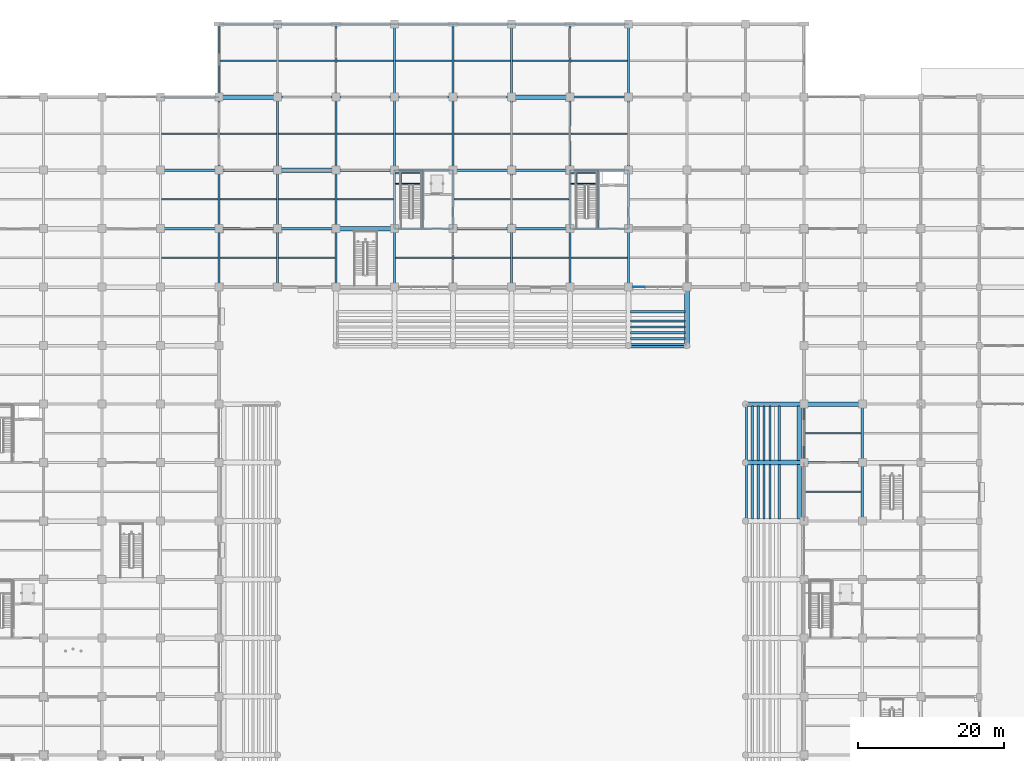
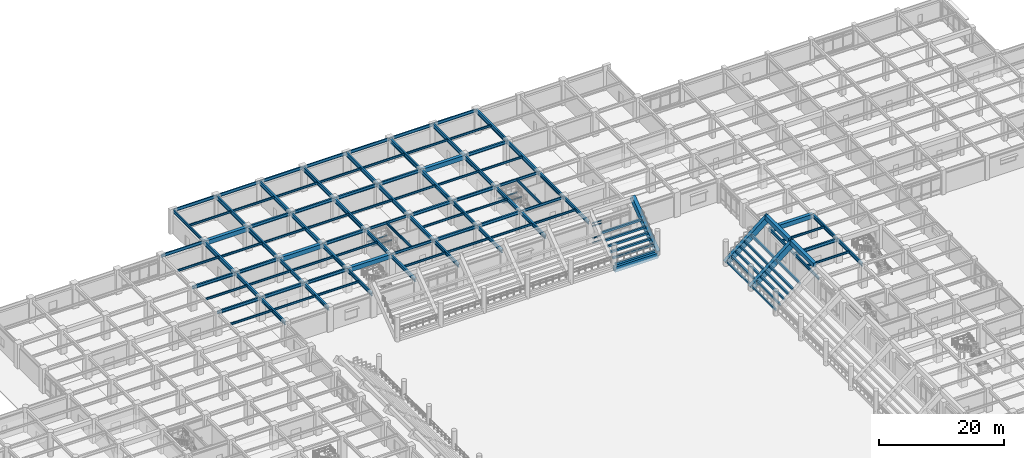
# One storey, part 47 of 125: 131 beams, 4 members, 1 element without a shape of its own.
"""IFC4 building model written with IfcOpenShell, lengths in metres."""

from ifc_helpers import new_model, si_unit, direction, frame, origin, origin_2d, place, context, subcontext, project, spatial, rectangle, i_section, extrude, material, layer, layer_set, material_profile, profile_set, type_object, element, aggregate, save


model = new_model("IFC4")

# Units and contexts
model_context = context("Model", 3, precision=1e-05, world=origin(), true_north=direction((0.0, 1.0)))
body_context = subcontext(model_context, "Body", "Model", "MODEL_VIEW")
ifc_project = project(units=[si_unit("LENGTHUNIT", "METRE"), si_unit("AREAUNIT", "SQUARE_METRE"), si_unit("VOLUMEUNIT", "CUBIC_METRE"), si_unit("PLANEANGLEUNIT", "RADIAN"), si_unit("MASSUNIT", "GRAM", prefix="KILO")], contexts=[model_context])

# Site, building, storey
site_placement = place(None, origin())
site = spatial("IfcSite", under=ifc_project, at=site_placement, CompositionType="ELEMENT")
building_placement = place(site_placement, origin())
building = spatial("IfcBuilding", under=site, at=building_placement, Name="Haebicheon Civic Stadium", CompositionType="ELEMENT")
storey_placement = place(building_placement, origin())
storey = spatial("IfcBuildingStorey", under=building, at=storey_placement, Name="L01", CompositionType="ELEMENT", Elevation=0.0)

# Beams
ifc_material_1 = material(Name="Precast concrete C40/50", Category="concrete")
ifc_material_profile_1 = material_profile(ifc_material_1, rectangle(XDim=0.300048828125, YDim=0.39990234375, at=origin_2d()), Name="PC-LN-300x400")
ifc_profile_set_1 = profile_set([ifc_material_profile_1], Name="Precast concrete C40/50")
beam_type_1 = type_object("IfcBeamType", Name="BM-LN-300x400", PredefinedType="LINTEL", material=ifc_profile_set_1)
for number, where, z_axis, x_axis, name in (
    (1, (136.159912109375, 120.280029296875, 0.760009765625), (0.0, 1.0, 0.0), (-1.0, 0.0, 0.0), "TIER-E-L precast step carrier beam 10.1"),
    (2, (136.9599609375, 120.280029296875, 1.470947265625), (0.0, 1.0, 0.0), (-1.0, 0.0, 0.0), "TIER-E-L precast step carrier beam 10.2"),
    (3, (137.760009765625, 120.280029296875, 2.181884765625), (0.0, 1.0, 0.0), (-1.0, 0.0, 0.0), "TIER-E-L precast step carrier beam 10.3"),
    (4, (138.56005859375, 120.280029296875, 2.89306640625), (0.0, 1.0, 0.0), (-1.0, 0.0, 0.0), "TIER-E-L precast step carrier beam 10.4"),
    (5, (139.360107421875, 120.280029296875, 3.60400390625), (0.0, 1.0, 0.0), (-1.0, 0.0, 0.0), "TIER-E-L precast step carrier beam 10.5"),
    (6, (140.639892578125, 120.280029296875, 4.31591796875), (0.0, 1.0, 0.0), (-1.0, 0.0, 0.0), "TIER-E-L precast step carrier beam 10.6"),
    (7, (136.159912109375, 128.280029296875, 0.760009765625), (0.0, 1.0, 0.0), (-1.0, 0.0, 0.0), "TIER-E-L precast step carrier beam 11.1"),
    (8, (136.9599609375, 128.280029296875, 1.470947265625), (0.0, 1.0, 0.0), (-1.0, 0.0, 0.0), "TIER-E-L precast step carrier beam 11.2"),
    (9, (137.760009765625, 128.280029296875, 2.181884765625), (0.0, 1.0, 0.0), (-1.0, 0.0, 0.0), "TIER-E-L precast step carrier beam 11.3"),
    (10, (138.56005859375, 128.280029296875, 2.89306640625), (0.0, 1.0, 0.0), (-1.0, 0.0, 0.0), "TIER-E-L precast step carrier beam 11.4"),
    (11, (139.360107421875, 128.280029296875, 3.60400390625), (0.0, 1.0, 0.0), (-1.0, 0.0, 0.0), "TIER-E-L precast step carrier beam 11.5"),
    (12, (140.639892578125, 128.280029296875, 4.31591796875), (0.0, 1.0, 0.0), (-1.0, 0.0, 0.0), "TIER-E-L precast step carrier beam 11.6"),
    (13, (120.280029296875, 144.159912109375, 0.760009765625), (1.0, 0.0, 0.0), (0.0, 1.0, 0.0), "TIER-N-L precast step carrier beam 6.1"),
    (14, (120.280029296875, 144.9599609375, 1.427001953125), (1.0, 0.0, 0.0), (0.0, 1.0, 0.0), "TIER-N-L precast step carrier beam 6.2"),
    (15, (120.280029296875, 145.760009765625, 2.093017578125), (1.0, 0.0, 0.0), (0.0, 1.0, 0.0), "TIER-N-L precast step carrier beam 6.3"),
    (16, (120.280029296875, 146.56005859375, 2.760009765625), (1.0, 0.0, 0.0), (0.0, 1.0, 0.0), "TIER-N-L precast step carrier beam 6.4"),
    (17, (120.280029296875, 147.360107421875, 3.427001953125), (1.0, 0.0, 0.0), (0.0, 1.0, 0.0), "TIER-N-L precast step carrier beam 6.5"),
    (18, (120.280029296875, 148.639892578125, 4.093017578125), (1.0, 0.0, 0.0), (0.0, 1.0, 0.0), "TIER-N-L precast step carrier beam 6.6"),
):
    element("IfcBeam", number, at=place(storey_placement, frame(where, z_axis=z_axis, x_axis=x_axis)), inside=storey, type_object=beam_type_1, material=ifc_profile_set_1, Name=name, PredefinedType="LINTEL", context=body_context, shape_type="SweptSolid", body=[
        extrude(rectangle(XDim=0.300048828125, YDim=0.39990234375, at=origin_2d()), origin(), (0.0, 0.0, 1.0), 7.43994140625),
    ])
ifc_material_2 = material(Name="Concrete C40/50", Category="concrete")
ifc_material_profile_2 = material_profile(ifc_material_2, rectangle(XDim=0.64990234375, YDim=1.0, at=origin_2d()), Name="RC-BM-650x1000")
ifc_profile_set_2 = profile_set([ifc_material_profile_2], Name="Concrete C40/50")
beam_type_2 = type_object("IfcBeamType", Name="BM-RC-650x1000", PredefinedType="BEAM", material=ifc_profile_set_2)
beam_1_placement = place(storey_placement, frame((120.0, 144.0, -0.0400390625), z_axis=(1.0, 0.0, 0.0), x_axis=(0.0, 1.0, 0.0)))
element("IfcBeam", 19, at=beam_1_placement, inside=storey, type_object=beam_type_2, material=ifc_profile_set_2, Name="TIER-N-L nose support girder 6", PredefinedType="BEAM", context=body_context, shape_type="SweptSolid", body=[
    extrude(rectangle(XDim=0.64990234375, YDim=1.0, at=origin_2d()), origin(), (0.0, 0.0, 1.0), 8.0),
])
ifc_material_3 = material(Name="Steel SM355 (S355)", Category="steel")
ifc_material_profile_3 = material_profile(ifc_material_3, i_section(OverallWidth=0.199951171875, OverallDepth=0.5, WebThickness=0.010009765625, FlangeThickness=0.01611328125, at=origin_2d()), Name="H-500x200x10x16")
ifc_profile_set_3 = profile_set([ifc_material_profile_3], Name="Steel SM355 (S355)")
beam_type_3 = type_object("IfcBeamType", Name="BM-ST-H500", PredefinedType="BEAM", material=ifc_profile_set_3)
for number, where, z_axis, x_axis, name in (
    (20, (88.0, 160.0, 4.27001953125), (1.0, 0.0, 0.0), (0.0, 1.0, 0.0), "L01 beam W/12-13"),
    (21, (88.0, 168.0, 4.27001953125), (1.0, 0.0, 0.0), (0.0, 1.0, 0.0), "L01 beam X/12-13"),
    (22, (112.0, 160.0, 4.27001953125), (1.0, 0.0, 0.0), (0.0, 1.0, 0.0), "L01 beam W/15-16"),
    (23, (112.0, 168.0, 4.27001953125), (1.0, 0.0, 0.0), (0.0, 1.0, 0.0), "L01 beam X/15-16"),
):
    element("IfcBeam", number, at=place(storey_placement, frame(where, z_axis=z_axis, x_axis=x_axis)), inside=storey, type_object=beam_type_3, material=ifc_profile_set_3, Name=name, PredefinedType="BEAM", context=body_context, shape_type="SweptSolid", body=[
        extrude(i_section(OverallWidth=0.199951171875, OverallDepth=0.5, WebThickness=0.010009765625, FlangeThickness=0.01611328125, at=origin_2d()), origin(), (0.0, 0.0, 1.0), 8.0),
    ])
for number, where, z_axis, x_axis, name in (
    (24, (91.8798828125, 160.10009765625, 4.27001953125), (0.0, 1.0, 0.0), (-1.0, 0.0, 0.0), "L01 KC-08 core dividing wall support beam"),
    (25, (115.8798828125, 160.10009765625, 4.27001953125), (0.0, 1.0, 0.0), (-1.0, 0.0, 0.0), "L01 KC-09 core dividing wall support beam"),
):
    element("IfcBeam", number, at=place(storey_placement, frame(where, z_axis=z_axis, x_axis=x_axis)), inside=storey, type_object=beam_type_3, material=ifc_profile_set_3, Name=name, PredefinedType="BEAM", context=body_context, shape_type="SweptSolid", body=[
        extrude(i_section(OverallWidth=0.199951171875, OverallDepth=0.5, WebThickness=0.010009765625, FlangeThickness=0.01611328125, at=origin_2d()), origin(), (0.0, 0.0, 1.0), 7.7998046875),
    ])
ifc_material_4 = material(Name="Steel SM355 (S355)", Category="steel")
ifc_material_profile_4 = material_profile(ifc_material_4, i_section(OverallWidth=0.300048828125, OverallDepth=0.60009765625, WebThickness=0.011962890625, FlangeThickness=0.02001953125, at=origin_2d()), Name="H-600x300x12x20")
ifc_profile_set_4 = profile_set([ifc_material_profile_4], Name="Steel SM355 (S355)")
beam_type_4 = type_object("IfcBeamType", Name="BM-ST-H600A", PredefinedType="BEAM", material=ifc_profile_set_4)
for number, where, z_axis, x_axis, name in (
    (26, (56.0, 160.0, 4.179931640625), (1.0, 0.0, 0.0), (0.0, 1.0, 0.0), "L01 beam W/8-9"),
    (27, (56.0, 168.0, 4.179931640625), (1.0, 0.0, 0.0), (0.0, 1.0, 0.0), "L01 beam X/8-9"),
    (28, (64.0, 160.0, 4.219970703125), (1.0, 0.0, 0.0), (0.0, 1.0, 0.0), "L01 beam W/9-10"),
    (29, (64.0, 168.0, 4.219970703125), (1.0, 0.0, 0.0), (0.0, 1.0, 0.0), "L01 beam X/9-10"),
    (30, (72.0, 160.0, 4.219970703125), (1.0, 0.0, 0.0), (0.0, 1.0, 0.0), "L01 beam W/10-11"),
    (31, (72.0, 178.0, 4.219970703125), (1.0, 0.0, 0.0), (0.0, 1.0, 0.0), "L01 beam Y/10-11"),
    (32, (80.0, 168.0, 4.219970703125), (1.0, 0.0, 0.0), (0.0, 1.0, 0.0), "L01 beam X/11-12"),
    (33, (80.0, 178.0, 4.219970703125), (1.0, 0.0, 0.0), (0.0, 1.0, 0.0), "L01 beam Y/11-12"),
    (34, (88.0, 178.0, 4.219970703125), (1.0, 0.0, 0.0), (0.0, 1.0, 0.0), "L01 beam Y/12-13"),
    (35, (96.0, 160.0, 4.219970703125), (1.0, 0.0, 0.0), (0.0, 1.0, 0.0), "L01 beam W/13-14"),
    (36, (96.0, 168.0, 4.219970703125), (1.0, 0.0, 0.0), (0.0, 1.0, 0.0), "L01 beam X/13-14"),
    (37, (96.0, 178.0, 4.219970703125), (1.0, 0.0, 0.0), (0.0, 1.0, 0.0), "L01 beam Y/13-14"),
    (38, (104.0, 160.0, 4.219970703125), (1.0, 0.0, 0.0), (0.0, 1.0, 0.0), "L01 beam W/14-15"),
    (39, (104.0, 168.0, 4.219970703125), (1.0, 0.0, 0.0), (0.0, 1.0, 0.0), "L01 beam X/14-15"),
    (40, (112.0, 178.0, 4.219970703125), (1.0, 0.0, 0.0), (0.0, 1.0, 0.0), "L01 beam Y/15-16"),
    (41, (144.0, 128.0, 4.219970703125), (1.0, 0.0, 0.0), (0.0, 1.0, 0.0), "L01 beam S/19-20"),
):
    element("IfcBeam", number, at=place(storey_placement, frame(where, z_axis=z_axis, x_axis=x_axis)), inside=storey, type_object=beam_type_4, material=ifc_profile_set_4, Name=name, PredefinedType="BEAM", context=body_context, shape_type="SweptSolid", body=[
        extrude(i_section(OverallWidth=0.300048828125, OverallDepth=0.60009765625, WebThickness=0.011962890625, FlangeThickness=0.02001953125, at=origin_2d()), origin(), (0.0, 0.0, 1.0), 8.0),
    ])
ifc_material_5 = material(Name="Steel SM490", Category="steel")
ifc_material_profile_5 = material_profile(ifc_material_5, i_section(OverallWidth=0.300048828125, OverallDepth=0.699951171875, WebThickness=0.012939453125, FlangeThickness=0.02392578125, at=origin_2d()), Name="H-700x300x13x24")
ifc_profile_set_5 = profile_set([ifc_material_profile_5], Name="Steel SM490")
beam_type_5 = type_object("IfcBeamType", Name="BM-ST-H700", PredefinedType="BEAM", material=ifc_profile_set_5)
for number, where, z_axis, x_axis, name in (
    (42, (64.0, 152.0, 4.1298828125), (0.0, 1.0, 0.0), (-1.0, 0.0, 0.0), "L01 girder 9/V-W"),
    (43, (64.0, 160.0, 4.1298828125), (0.0, 1.0, 0.0), (-1.0, 0.0, 0.0), "L01 girder 9/W-X"),
    (44, (72.0, 152.0, 4.169921875), (0.0, 1.0, 0.0), (-1.0, 0.0, 0.0), "L01 girder 10/V-W"),
    (45, (72.0, 160.0, 4.169921875), (0.0, 1.0, 0.0), (-1.0, 0.0, 0.0), "L01 girder 10/W-X"),
    (46, (80.0, 152.0, 4.169921875), (0.0, 1.0, 0.0), (-1.0, 0.0, 0.0), "L01 girder 11/V-W"),
    (47, (80.0, 160.0, 4.169921875), (0.0, 1.0, 0.0), (-1.0, 0.0, 0.0), "L01 girder 11/W-X"),
    (48, (88.0, 152.0, 4.169921875), (0.0, 1.0, 0.0), (-1.0, 0.0, 0.0), "L01 girder 12/V-W"),
    (49, (88.0, 160.0, 4.169921875), (0.0, 1.0, 0.0), (-1.0, 0.0, 0.0), "L01 girder 12/W-X"),
    (50, (96.0, 152.0, 4.169921875), (0.0, 1.0, 0.0), (-1.0, 0.0, 0.0), "L01 girder 13/V-W"),
    (51, (96.0, 160.0, 4.169921875), (0.0, 1.0, 0.0), (-1.0, 0.0, 0.0), "L01 girder 13/W-X"),
    (52, (104.0, 152.0, 4.169921875), (0.0, 1.0, 0.0), (-1.0, 0.0, 0.0), "L01 girder 14/V-W"),
    (53, (104.0, 160.0, 4.169921875), (0.0, 1.0, 0.0), (-1.0, 0.0, 0.0), "L01 girder 14/W-X"),
    (54, (112.0, 152.0, 4.169921875), (0.0, 1.0, 0.0), (-1.0, 0.0, 0.0), "L01 girder 15/V-W"),
    (55, (112.0, 160.0, 4.169921875), (0.0, 1.0, 0.0), (-1.0, 0.0, 0.0), "L01 girder 15/W-X"),
    (56, (120.0, 152.0, 4.169921875), (0.0, 1.0, 0.0), (-1.0, 0.0, 0.0), "L01 girder 16/V-W"),
    (57, (120.0, 160.0, 4.169921875), (0.0, 1.0, 0.0), (-1.0, 0.0, 0.0), "L01 girder 16/W-X"),
    (58, (152.0, 120.0, 4.169921875), (0.0, 1.0, 0.0), (-1.0, 0.0, 0.0), "L01 girder 20/R-S"),
    (59, (152.0, 128.0, 4.169921875), (0.0, 1.0, 0.0), (-1.0, 0.0, 0.0), "L01 girder 20/S-T"),
):
    element("IfcBeam", number, at=place(storey_placement, frame(where, z_axis=z_axis, x_axis=x_axis)), inside=storey, type_object=beam_type_5, material=ifc_profile_set_5, Name=name, PredefinedType="BEAM", context=body_context, shape_type="SweptSolid", body=[
        extrude(i_section(OverallWidth=0.300048828125, OverallDepth=0.699951171875, WebThickness=0.012939453125, FlangeThickness=0.02392578125, at=origin_2d()), origin(), (0.0, 0.0, 1.0), 8.0),
    ])
ifc_material_6 = material(Name="Steel SM490", Category="steel")
ifc_material_profile_6 = material_profile(ifc_material_6, i_section(OverallWidth=0.300048828125, OverallDepth=0.800048828125, WebThickness=0.013916015625, FlangeThickness=0.02587890625, at=origin_2d()), Name="H-800x300x14x26")
ifc_profile_set_6 = profile_set([ifc_material_profile_6], Name="Steel SM490")
beam_type_6 = type_object("IfcBeamType", Name="BM-ST-H800", PredefinedType="BEAM", material=ifc_profile_set_6)
for number, where, z_axis, x_axis, name in (
    (60, (64.0, 168.0, 4.1201171875), (0.0, 1.0, 0.0), (-1.0, 0.0, 0.0), "L01 girder 9/X-Y"),
    (61, (72.0, 168.0, 4.1201171875), (0.0, 1.0, 0.0), (-1.0, 0.0, 0.0), "L01 girder 10/X-Y"),
    (62, (72.0, 178.0, 4.179931640625), (0.0, 1.0, 0.0), (-1.0, 0.0, 0.0), "L01 girder 10/Y-Z"),
    (63, (80.0, 168.0, 4.1201171875), (0.0, 1.0, 0.0), (-1.0, 0.0, 0.0), "L01 girder 11/X-Y"),
    (64, (80.0, 178.0, 4.179931640625), (0.0, 1.0, 0.0), (-1.0, 0.0, 0.0), "L01 girder 11/Y-Z"),
    (65, (88.0, 168.0, 4.1201171875), (0.0, 1.0, 0.0), (-1.0, 0.0, 0.0), "L01 girder 12/X-Y"),
    (66, (88.0, 178.0, 4.179931640625), (0.0, 1.0, 0.0), (-1.0, 0.0, 0.0), "L01 girder 12/Y-Z"),
    (67, (96.0, 168.0, 4.1201171875), (0.0, 1.0, 0.0), (-1.0, 0.0, 0.0), "L01 girder 13/X-Y"),
    (68, (96.0, 178.0, 4.179931640625), (0.0, 1.0, 0.0), (-1.0, 0.0, 0.0), "L01 girder 13/Y-Z"),
    (69, (104.0, 168.0, 4.1201171875), (0.0, 1.0, 0.0), (-1.0, 0.0, 0.0), "L01 girder 14/X-Y"),
    (70, (104.0, 178.0, 4.179931640625), (0.0, 1.0, 0.0), (-1.0, 0.0, 0.0), "L01 girder 14/Y-Z"),
    (71, (112.0, 168.0, 4.1201171875), (0.0, 1.0, 0.0), (-1.0, 0.0, 0.0), "L01 girder 15/X-Y"),
    (72, (112.0, 178.0, 4.179931640625), (0.0, 1.0, 0.0), (-1.0, 0.0, 0.0), "L01 girder 15/Y-Z"),
    (73, (120.0, 168.0, 4.1201171875), (0.0, 1.0, 0.0), (-1.0, 0.0, 0.0), "L01 girder 16/X-Y"),
    (74, (120.0, 178.0, 4.179931640625), (0.0, 1.0, 0.0), (-1.0, 0.0, 0.0), "L01 girder 16/Y-Z"),
):
    element("IfcBeam", number, at=place(storey_placement, frame(where, z_axis=z_axis, x_axis=x_axis)), inside=storey, type_object=beam_type_6, material=ifc_profile_set_6, Name=name, PredefinedType="BEAM", context=body_context, shape_type="SweptSolid", body=[
        extrude(i_section(OverallWidth=0.300048828125, OverallDepth=0.800048828125, WebThickness=0.013916015625, FlangeThickness=0.02587890625, at=origin_2d()), origin(), (0.0, 0.0, 1.0), 10.0),
    ])
ifc_material_7 = material(Name="Precast concrete C40/50", Category="concrete")
ifc_material_profile_7 = material_profile(ifc_material_7, rectangle(XDim=0.60009765625, YDim=0.85009765625, at=origin_2d()), Name="PC-TB-600x850")
ifc_profile_set_7 = profile_set([ifc_material_profile_7], Name="Precast concrete C40/50")
beam_type_7 = type_object("IfcBeamType", Name="BM-TB-600x850", PredefinedType="T_BEAM", material=ifc_profile_set_7)
for number, where, z_axis, x_axis, name in (
    (75, (64.0, 178.0, 4.094970703125), (1.0, 0.0, 0.0), (0.0, 1.0, 0.0), "L01 beam Y/9-10"),
    (76, (72.0, 168.0, 4.094970703125), (1.0, 0.0, 0.0), (0.0, 1.0, 0.0), "L01 beam X/10-11"),
    (77, (80.0, 160.0, 4.094970703125), (1.0, 0.0, 0.0), (0.0, 1.0, 0.0), "L01 beam W/11-12"),
    (78, (104.0, 178.0, 4.094970703125), (1.0, 0.0, 0.0), (0.0, 1.0, 0.0), "L01 beam Y/14-15"),
    (79, (144.0, 136.0, 4.094970703125), (1.0, 0.0, 0.0), (0.0, 1.0, 0.0), "L01 beam T/19-20"),
):
    element("IfcBeam", number, at=place(storey_placement, frame(where, z_axis=z_axis, x_axis=x_axis)), inside=storey, type_object=beam_type_7, material=ifc_profile_set_7, Name=name, PredefinedType="T_BEAM", context=body_context, shape_type="SweptSolid", body=[
        extrude(rectangle(XDim=0.60009765625, YDim=0.85009765625, at=origin_2d()), origin(), (0.0, 0.0, 1.0), 8.0),
    ])
for number, where, z_axis, x_axis, name in (
    (80, (143.360107421875, 120.280029296875, 6.93505859375), (0.0, 1.0, 0.0), (-1.0, 0.0, 0.0), "TIER-E-L upper tier bench carrier beam 10"),
    (81, (143.360107421875, 128.280029296875, 6.93505859375), (0.0, 1.0, 0.0), (-1.0, 0.0, 0.0), "TIER-E-L upper tier bench carrier beam 11"),
):
    element("IfcBeam", number, at=place(storey_placement, frame(where, z_axis=z_axis, x_axis=x_axis)), inside=storey, type_object=beam_type_7, material=ifc_profile_set_7, Name=name, PredefinedType="T_BEAM", context=body_context, shape_type="SweptSolid", body=[
        extrude(rectangle(XDim=0.60009765625, YDim=0.85009765625, at=origin_2d()), origin(), (0.0, 0.0, 1.0), 7.43994140625),
    ])

# Curtain wall, members
ifc_material_8 = material(Name="Anodised aluminium and laminated glass", Category="aluminium")
ifc_layer = layer(ifc_material_8, 0.179931640625, Name="Anodised aluminium and laminated glass")
ifc_layer_set = layer_set([ifc_layer], Name="Anodised aluminium and laminated glass")
curtain_wall_type = type_object("IfcCurtainWallType", Name="CW-6900x3810", PredefinedType="NOTDEFINED", material=ifc_layer_set)
curtain_wall_placement = place(storey_placement, origin())
curtain_wall = element("IfcCurtainWall", 82, at=curtain_wall_placement, inside=storey, type_object=curtain_wall_type, material=ifc_layer_set, Name="L01 unitised curtain wall 011", PredefinedType="NOTDEFINED")
ifc_material_9 = material(Name="Anodised aluminium 6063-T6", Category="aluminium")
ifc_material_profile_8 = material_profile(ifc_material_9, rectangle(XDim=0.080078125, YDim=0.179931640625, at=origin_2d()), Name="ALU-TRAN-80x180")
ifc_profile_set_8 = profile_set([ifc_material_profile_8], Name="Anodised aluminium 6063-T6")
member_type = type_object("IfcMemberType", Name="CWT-180x80", PredefinedType="NOTDEFINED", material=ifc_profile_set_8)
member_1_placement = place(storey_placement, frame((120.6298828125, 152.0, 0.0), z_axis=(1.0, 0.0, 0.0), x_axis=(0.0, 1.0, 0.0)))
member_1 = element("IfcMember", 83, at=member_1_placement, type_object=member_type, material=ifc_profile_set_8, Name="CW-L01-011 horizontal transom 1.1", ObjectType="TRANSOM", PredefinedType="USERDEFINED", context=body_context, shape_type="SweptSolid", body=[
    extrude(rectangle(XDim=0.080078125, YDim=0.179931640625, at=origin_2d()), origin(), (0.0, 0.0, 1.0), 1.605224609375),
])
member_2_placement = place(storey_placement, frame((120.6298828125, 152.0, 0.89990234375), z_axis=(1.0, 0.0, 0.0), x_axis=(0.0, 1.0, 0.0)))
member_2 = element("IfcMember", 84, at=member_2_placement, type_object=member_type, material=ifc_profile_set_8, Name="CW-L01-011 horizontal transom 1.2", ObjectType="TRANSOM", PredefinedType="USERDEFINED", context=body_context, shape_type="SweptSolid", body=[
    extrude(rectangle(XDim=0.080078125, YDim=0.179931640625, at=origin_2d()), origin(), (0.0, 0.0, 1.0), 1.605224609375),
])
member_3_placement = place(storey_placement, frame((120.6298828125, 152.0, 3.260009765625), z_axis=(1.0, 0.0, 0.0), x_axis=(0.0, 1.0, 0.0)))
member_3 = element("IfcMember", 85, at=member_3_placement, type_object=member_type, material=ifc_profile_set_8, Name="CW-L01-011 horizontal transom 1.3", ObjectType="TRANSOM", PredefinedType="USERDEFINED", context=body_context, shape_type="SweptSolid", body=[
    extrude(rectangle(XDim=0.080078125, YDim=0.179931640625, at=origin_2d()), origin(), (0.0, 0.0, 1.0), 1.605224609375),
])
member_4_placement = place(storey_placement, frame((120.6298828125, 152.0, 3.81005859375), z_axis=(1.0, 0.0, 0.0), x_axis=(0.0, 1.0, 0.0)))
member_4 = element("IfcMember", 86, at=member_4_placement, type_object=member_type, material=ifc_profile_set_8, Name="CW-L01-011 horizontal transom 1.4", ObjectType="TRANSOM", PredefinedType="USERDEFINED", context=body_context, shape_type="SweptSolid", body=[
    extrude(rectangle(XDim=0.080078125, YDim=0.179931640625, at=origin_2d()), origin(), (0.0, 0.0, 1.0), 1.605224609375),
])
aggregate(curtain_wall, [member_1, member_2, member_3, member_4])

# Beams
ifc_material_10 = material(Name="Steel SM355 (S355)", Category="steel")
ifc_material_profile_9 = material_profile(ifc_material_10, i_section(OverallWidth=0.125, OverallDepth=0.25, WebThickness=0.006103515625, FlangeThickness=0.009033203125, at=origin_2d()), Name="H-250x125x6x9")
ifc_profile_set_9 = profile_set([ifc_material_profile_9], Name="Steel SM355 (S355)")
beam_type_8 = type_object("IfcBeamType", Name="JST-ST-H250", PredefinedType="JOIST", material=ifc_profile_set_9)
for number, where, z_axis, x_axis, name in (
    (87, (88.080078125, 166.169921875, 2.072021484375), (1.0, 0.0, 0.0), (0.0, 1.0, 0.0), "KC-08 L01 stair half-landing front trimmer beam"),
    (88, (88.080078125, 167.6201171875, 2.072021484375), (1.0, 0.0, 0.0), (0.0, 1.0, 0.0), "KC-08 L01 stair half-landing rear trimmer beam"),
):
    element("IfcBeam", number, at=place(storey_placement, frame(where, z_axis=z_axis, x_axis=x_axis)), inside=storey, type_object=beam_type_8, material=ifc_profile_set_9, Name=name, PredefinedType="JOIST", context=body_context, shape_type="SweptSolid", body=[
        extrude(i_section(OverallWidth=0.125, OverallDepth=0.25, WebThickness=0.006103515625, FlangeThickness=0.009033203125, at=origin_2d()), origin(), (0.0, 0.0, 1.0), 3.719970703125),
    ])
beam_2_placement = place(storey_placement, frame((88.9599609375, 166.169921875, 2.072021484375), z_axis=(0.0, 1.0, 0.0), x_axis=(-1.0, 0.0, 0.0)))
element("IfcBeam", 89, at=beam_2_placement, inside=storey, type_object=beam_type_8, material=ifc_profile_set_9, Name="KC-08 L01 stair half-landing transverse tie beam", PredefinedType="JOIST", context=body_context, shape_type="SweptSolid", body=[
    extrude(i_section(OverallWidth=0.125, OverallDepth=0.25, WebThickness=0.006103515625, FlangeThickness=0.009033203125, at=origin_2d()), origin(), (0.0, 0.0, 1.0), 1.4501953125),
])
for number, where, z_axis, x_axis, name in (
    (90, (112.080078125, 166.169921875, 2.072021484375), (1.0, 0.0, 0.0), (0.0, 1.0, 0.0), "KC-09 L01 stair half-landing front trimmer beam"),
    (91, (112.080078125, 167.6201171875, 2.072021484375), (1.0, 0.0, 0.0), (0.0, 1.0, 0.0), "KC-09 L01 stair half-landing rear trimmer beam"),
):
    element("IfcBeam", number, at=place(storey_placement, frame(where, z_axis=z_axis, x_axis=x_axis)), inside=storey, type_object=beam_type_8, material=ifc_profile_set_9, Name=name, PredefinedType="JOIST", context=body_context, shape_type="SweptSolid", body=[
        extrude(i_section(OverallWidth=0.125, OverallDepth=0.25, WebThickness=0.006103515625, FlangeThickness=0.009033203125, at=origin_2d()), origin(), (0.0, 0.0, 1.0), 3.719970703125),
    ])
beam_3_placement = place(storey_placement, frame((112.9599609375, 166.169921875, 2.072021484375), z_axis=(0.0, 1.0, 0.0), x_axis=(-1.0, 0.0, 0.0)))
element("IfcBeam", 92, at=beam_3_placement, inside=storey, type_object=beam_type_8, material=ifc_profile_set_9, Name="KC-09 L01 stair half-landing transverse tie beam", PredefinedType="JOIST", context=body_context, shape_type="SweptSolid", body=[
    extrude(i_section(OverallWidth=0.125, OverallDepth=0.25, WebThickness=0.006103515625, FlangeThickness=0.009033203125, at=origin_2d()), origin(), (0.0, 0.0, 1.0), 1.4501953125),
])
ifc_material_11 = material(Name="Steel SM355 (S355)", Category="steel")
ifc_material_profile_10 = material_profile(ifc_material_11, i_section(OverallWidth=0.199951171875, OverallDepth=0.39990234375, WebThickness=0.008056640625, FlangeThickness=0.012939453125, at=origin_2d()), Name="H-400x200x8x13")
ifc_profile_set_10 = profile_set([ifc_material_profile_10], Name="Steel SM355 (S355)")
beam_type_9 = type_object("IfcBeamType", Name="JST-ST-H400", PredefinedType="JOIST", material=ifc_profile_set_10)
for number, where, z_axis, x_axis, name in (
    (93, (56.14990234375, 156.0, 4.280029296875), (1.0, 0.0, 0.0), (0.0, 1.0, 0.0), "L01 secondary joist 07-19"),
    (94, (56.14990234375, 164.0, 4.280029296875), (1.0, 0.0, 0.0), (0.0, 1.0, 0.0), "L01 secondary joist 07-20"),
    (95, (56.14990234375, 173.0, 4.3798828125), (1.0, 0.0, 0.0), (0.0, 1.0, 0.0), "L01 secondary joist 07-21"),
    (96, (64.14990234375, 156.0, 4.320068359375), (1.0, 0.0, 0.0), (0.0, 1.0, 0.0), "L01 secondary joist 08-19"),
    (97, (64.14990234375, 164.0, 4.320068359375), (1.0, 0.0, 0.0), (0.0, 1.0, 0.0), "L01 secondary joist 08-20"),
    (98, (64.14990234375, 173.0, 4.320068359375), (1.0, 0.0, 0.0), (0.0, 1.0, 0.0), "L01 secondary joist 08-21"),
):
    element("IfcBeam", number, at=place(storey_placement, frame(where, z_axis=z_axis, x_axis=x_axis)), inside=storey, type_object=beam_type_9, material=ifc_profile_set_10, Name=name, PredefinedType="JOIST", context=body_context, shape_type="SweptSolid", body=[
        extrude(i_section(OverallWidth=0.199951171875, OverallDepth=0.39990234375, WebThickness=0.008056640625, FlangeThickness=0.012939453125, at=origin_2d()), origin(), (0.0, 0.0, 1.0), 7.7001953125),
    ])
beam_4_placement = place(storey_placement, frame((64.10009765625, 183.0, 4.3798828125), z_axis=(1.0, 0.0, 0.0), x_axis=(0.0, 1.0, 0.0)))
element("IfcBeam", 99, at=beam_4_placement, inside=storey, type_object=beam_type_9, material=ifc_profile_set_10, Name="L01 secondary joist 08-22", PredefinedType="JOIST", context=body_context, shape_type="SweptSolid", body=[
    extrude(i_section(OverallWidth=0.199951171875, OverallDepth=0.39990234375, WebThickness=0.008056640625, FlangeThickness=0.012939453125, at=origin_2d()), origin(), (0.0, 0.0, 1.0), 7.75),
])
for number, where, z_axis, x_axis, name in (
    (100, (72.14990234375, 156.0, 4.320068359375), (1.0, 0.0, 0.0), (0.0, 1.0, 0.0), "L01 secondary joist 09-19"),
    (101, (72.14990234375, 164.0, 4.320068359375), (1.0, 0.0, 0.0), (0.0, 1.0, 0.0), "L01 secondary joist 09-20"),
    (102, (72.14990234375, 173.0, 4.320068359375), (1.0, 0.0, 0.0), (0.0, 1.0, 0.0), "L01 secondary joist 09-21"),
    (103, (72.14990234375, 183.0, 4.3798828125), (1.0, 0.0, 0.0), (0.0, 1.0, 0.0), "L01 secondary joist 09-22"),
    (104, (80.14990234375, 164.0, 4.320068359375), (1.0, 0.0, 0.0), (0.0, 1.0, 0.0), "L01 secondary joist 10-20"),
    (105, (80.14990234375, 173.0, 4.320068359375), (1.0, 0.0, 0.0), (0.0, 1.0, 0.0), "L01 secondary joist 10-21"),
    (106, (80.14990234375, 183.0, 4.3798828125), (1.0, 0.0, 0.0), (0.0, 1.0, 0.0), "L01 secondary joist 10-22"),
    (107, (88.14990234375, 156.0, 4.320068359375), (1.0, 0.0, 0.0), (0.0, 1.0, 0.0), "L01 secondary joist 11-19"),
    (108, (88.14990234375, 173.0, 4.320068359375), (1.0, 0.0, 0.0), (0.0, 1.0, 0.0), "L01 secondary joist 11-21"),
    (109, (88.14990234375, 183.0, 4.3798828125), (1.0, 0.0, 0.0), (0.0, 1.0, 0.0), "L01 secondary joist 11-22"),
    (110, (96.14990234375, 156.0, 4.320068359375), (1.0, 0.0, 0.0), (0.0, 1.0, 0.0), "L01 secondary joist 12-19"),
    (111, (96.14990234375, 164.0, 4.320068359375), (1.0, 0.0, 0.0), (0.0, 1.0, 0.0), "L01 secondary joist 12-20"),
    (112, (96.14990234375, 173.0, 4.320068359375), (1.0, 0.0, 0.0), (0.0, 1.0, 0.0), "L01 secondary joist 12-21"),
    (113, (96.14990234375, 183.0, 4.3798828125), (1.0, 0.0, 0.0), (0.0, 1.0, 0.0), "L01 secondary joist 12-22"),
    (114, (104.14990234375, 156.0, 4.320068359375), (1.0, 0.0, 0.0), (0.0, 1.0, 0.0), "L01 secondary joist 13-19"),
    (115, (104.14990234375, 164.0, 4.320068359375), (1.0, 0.0, 0.0), (0.0, 1.0, 0.0), "L01 secondary joist 13-20"),
    (116, (104.14990234375, 173.0, 4.320068359375), (1.0, 0.0, 0.0), (0.0, 1.0, 0.0), "L01 secondary joist 13-21"),
    (117, (104.14990234375, 183.0, 4.3798828125), (1.0, 0.0, 0.0), (0.0, 1.0, 0.0), "L01 secondary joist 13-22"),
    (118, (112.14990234375, 156.0, 4.320068359375), (1.0, 0.0, 0.0), (0.0, 1.0, 0.0), "L01 secondary joist 14-19"),
    (119, (112.14990234375, 173.0, 4.320068359375), (1.0, 0.0, 0.0), (0.0, 1.0, 0.0), "L01 secondary joist 14-21"),
    (120, (112.14990234375, 183.0, 4.3798828125), (1.0, 0.0, 0.0), (0.0, 1.0, 0.0), "L01 secondary joist 14-22"),
):
    element("IfcBeam", number, at=place(storey_placement, frame(where, z_axis=z_axis, x_axis=x_axis)), inside=storey, type_object=beam_type_9, material=ifc_profile_set_10, Name=name, PredefinedType="JOIST", context=body_context, shape_type="SweptSolid", body=[
        extrude(i_section(OverallWidth=0.199951171875, OverallDepth=0.39990234375, WebThickness=0.008056640625, FlangeThickness=0.012939453125, at=origin_2d()), origin(), (0.0, 0.0, 1.0), 7.7001953125),
    ])
for number, where, z_axis, x_axis, name in (
    (121, (144.10009765625, 124.0, 4.320068359375), (1.0, 0.0, 0.0), (0.0, 1.0, 0.0), "L01 secondary joist 18-15"),
    (122, (144.10009765625, 132.0, 4.320068359375), (1.0, 0.0, 0.0), (0.0, 1.0, 0.0), "L01 secondary joist 18-16"),
):
    element("IfcBeam", number, at=place(storey_placement, frame(where, z_axis=z_axis, x_axis=x_axis)), inside=storey, type_object=beam_type_9, material=ifc_profile_set_10, Name=name, PredefinedType="JOIST", context=body_context, shape_type="SweptSolid", body=[
        extrude(i_section(OverallWidth=0.199951171875, OverallDepth=0.39990234375, WebThickness=0.008056640625, FlangeThickness=0.012939453125, at=origin_2d()), origin(), (0.0, 0.0, 1.0), 7.75),
    ])
ifc_material_12 = material(Name="Precast concrete C40/50", Category="concrete")
ifc_material_profile_11 = material_profile(ifc_material_12, rectangle(XDim=0.64990234375, YDim=1.10009765625, at=origin_2d()), Name="PC-RK-650x1100")
ifc_profile_set_11 = profile_set([ifc_material_profile_11], Name="Precast concrete C40/50")
beam_type_10 = type_object("IfcBeamType", Name="RK-PC-650x1100", PredefinedType="USERDEFINED", material=ifc_profile_set_11)
for number, where, z_axis, x_axis, name in (
    (123, (136.0, 128.0, 0.409912109375), (0.780861834757, 0.0, 0.624703765813), (0.0, 1.0, 0.0), "TIER-E-L inclined precast raker beam 11"),
    (124, (136.0, 136.0, 0.409912109375), (0.780861834757, 0.0, 0.624703765813), (0.0, 1.0, 0.0), "TIER-E-L inclined precast raker beam 12"),
):
    element("IfcBeam", number, at=place(storey_placement, frame(where, z_axis=z_axis, x_axis=x_axis)), inside=storey, type_object=beam_type_10, material=ifc_profile_set_11, Name=name, ObjectType="RAKER BEAM", PredefinedType="USERDEFINED", context=body_context, shape_type="SweptSolid", body=[
        extrude(rectangle(XDim=0.64990234375, YDim=1.10009765625, at=origin_2d()), origin(), (0.0, 0.0, 1.0), 10.2451171875),
    ])
beam_5_placement = place(storey_placement, frame((128.0, 144.0, 0.409912109375), z_axis=(0.0, 0.8, 0.6), x_axis=(-1.0, 0.0, 0.0)))
element("IfcBeam", 125, at=beam_5_placement, inside=storey, type_object=beam_type_10, material=ifc_profile_set_11, Name="TIER-N-L inclined precast raker beam 7", ObjectType="RAKER BEAM", PredefinedType="USERDEFINED", context=body_context, shape_type="SweptSolid", body=[
    extrude(rectangle(XDim=0.64990234375, YDim=1.10009765625, at=origin_2d()), origin(), (0.0, 0.0, 1.0), 10.0),
])
ifc_material_13 = material(Name="Steel SM355 (S355)", Category="steel")
ifc_material_profile_12 = material_profile(ifc_material_13, i_section(OverallWidth=0.199951171875, OverallDepth=0.60009765625, WebThickness=0.010986328125, FlangeThickness=0.01708984375, at=origin_2d()), Name="H-600x200x11x17")
ifc_profile_set_12 = profile_set([ifc_material_profile_12], Name="Steel SM355 (S355)")
beam_type_11 = type_object("IfcBeamType", Name="SPD-ST-H600B", PredefinedType="SPANDREL", material=ifc_profile_set_12)
beam_6_placement = place(storey_placement, frame((64.0, 178.0, 4.280029296875), z_axis=(0.0, 1.0, 0.0), x_axis=(-1.0, 0.0, 0.0)))
element("IfcBeam", 126, at=beam_6_placement, inside=storey, type_object=beam_type_11, material=ifc_profile_set_12, Name="L01 girder 9/Y-Z", PredefinedType="SPANDREL", context=body_context, shape_type="SweptSolid", body=[
    extrude(i_section(OverallWidth=0.199951171875, OverallDepth=0.60009765625, WebThickness=0.010986328125, FlangeThickness=0.01708984375, at=origin_2d()), origin(), (0.0, 0.0, 1.0), 10.0),
])
for number, where, z_axis, x_axis, name in (
    (127, (144.0, 120.0, 4.219970703125), (0.0, 1.0, 0.0), (-1.0, 0.0, 0.0), "L01 girder 19/R-S"),
    (128, (144.0, 128.0, 4.219970703125), (0.0, 1.0, 0.0), (-1.0, 0.0, 0.0), "L01 girder 19/S-T"),
    (129, (56.0, 178.0, 4.280029296875), (1.0, 0.0, 0.0), (0.0, 1.0, 0.0), "L01 beam Y/8-9"),
    (130, (64.0, 188.0, 4.280029296875), (1.0, 0.0, 0.0), (0.0, 1.0, 0.0), "L01 beam Z/9-10"),
    (131, (72.0, 188.0, 4.280029296875), (1.0, 0.0, 0.0), (0.0, 1.0, 0.0), "L01 beam Z/10-11"),
    (132, (80.0, 188.0, 4.280029296875), (1.0, 0.0, 0.0), (0.0, 1.0, 0.0), "L01 beam Z/11-12"),
    (133, (88.0, 188.0, 4.280029296875), (1.0, 0.0, 0.0), (0.0, 1.0, 0.0), "L01 beam Z/12-13"),
    (134, (96.0, 188.0, 4.280029296875), (1.0, 0.0, 0.0), (0.0, 1.0, 0.0), "L01 beam Z/13-14"),
    (135, (104.0, 188.0, 4.280029296875), (1.0, 0.0, 0.0), (0.0, 1.0, 0.0), "L01 beam Z/14-15"),
    (136, (112.0, 188.0, 4.280029296875), (1.0, 0.0, 0.0), (0.0, 1.0, 0.0), "L01 beam Z/15-16"),
):
    element("IfcBeam", number, at=place(storey_placement, frame(where, z_axis=z_axis, x_axis=x_axis)), inside=storey, type_object=beam_type_11, material=ifc_profile_set_12, Name=name, PredefinedType="SPANDREL", context=body_context, shape_type="SweptSolid", body=[
        extrude(i_section(OverallWidth=0.199951171875, OverallDepth=0.60009765625, WebThickness=0.010986328125, FlangeThickness=0.01708984375, at=origin_2d()), origin(), (0.0, 0.0, 1.0), 8.0),
    ])

save(model, "model.ifc")
